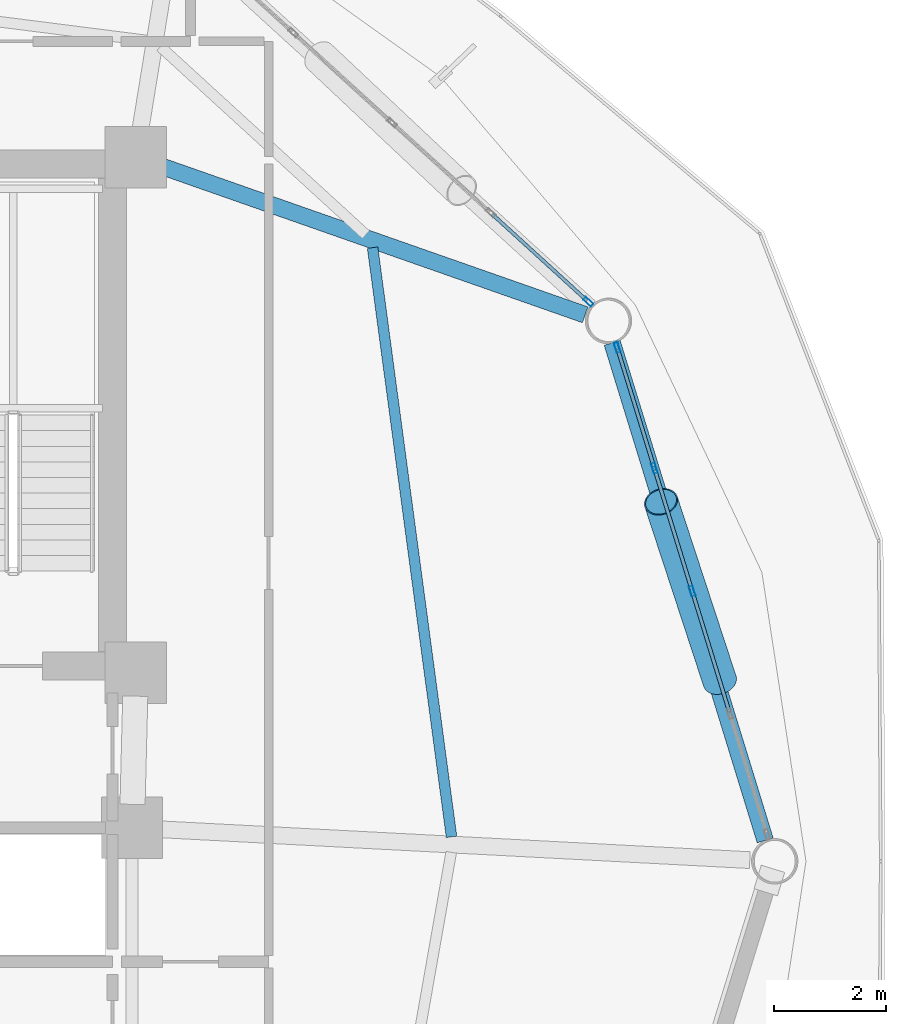
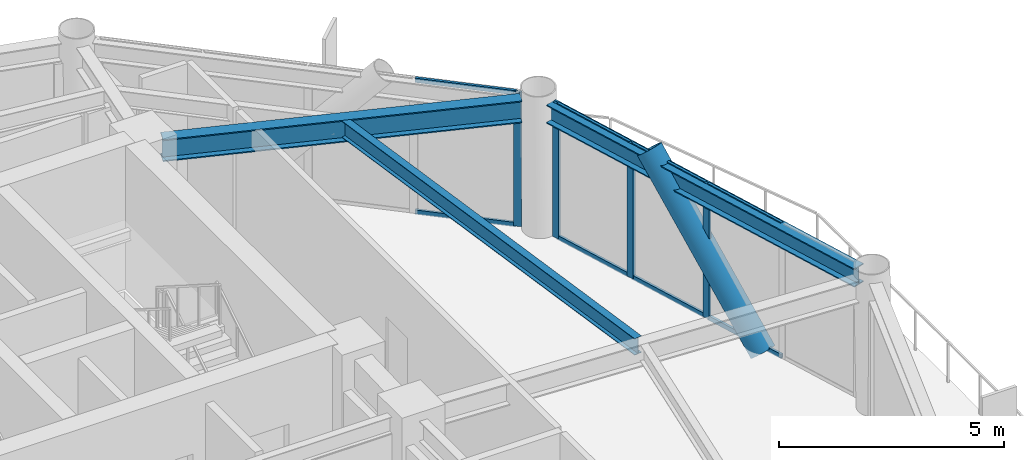
# One storey, part 13 of 23: 13 members, 3 beams, 2 elements without a shape of their own.
"""IFC4 building model written with IfcOpenShell, lengths in metres."""

from ifc_helpers import new_model, si_unit, direction, frame, origin, origin_2d, place, context, subcontext, project, spatial, hollow_rectangle, hollow_circle, i_section, extrude, material, layer, layer_set, material_profile, profile_set, type_object, element, aggregate, save


model = new_model("IFC4")

# Units and contexts
model_context = context("Model", 3, precision=1e-05, world=origin(), true_north=direction((0.0, 1.0)))
body_context = subcontext(model_context, "Body", "Model", "MODEL_VIEW")
ifc_project = project(units=[si_unit("LENGTHUNIT", "METRE"), si_unit("AREAUNIT", "SQUARE_METRE"), si_unit("VOLUMEUNIT", "CUBIC_METRE"), si_unit("PLANEANGLEUNIT", "RADIAN"), si_unit("MASSUNIT", "GRAM", prefix="KILO")], contexts=[model_context])

# Site, building, storey
site_placement = place(None, origin())
site = spatial("IfcSite", under=ifc_project, at=site_placement, CompositionType="ELEMENT")
building_placement = place(site_placement, origin())
building = spatial("IfcBuilding", under=site, at=building_placement, Name="Varnakorn Sky Granary", CompositionType="ELEMENT")
storey_placement = place(building_placement, frame((0.0, 0.0, 114.89990234375)))
storey = spatial("IfcBuildingStorey", under=building, at=storey_placement, Name="L28", CompositionType="ELEMENT", Elevation=114.89990234375)

# Beams
ifc_material_1 = material(Name="Steel S355JR", Category="steel")
ifc_material_profile_1 = material_profile(ifc_material_1, i_section(OverallWidth=0.300048828125, OverallDepth=0.60009765625, WebThickness=0.015380859375, FlangeThickness=0.030029296875, at=origin_2d()), Name="HE 600 B")
ifc_profile_set_1 = profile_set([ifc_material_profile_1], Name="Steel S355JR")
beam_type_1 = type_object("IfcBeamType", Name="BM-RAD-Z2", PredefinedType="BEAM", material=ifc_profile_set_1)
beam_1_placement = place(storey_placement, frame((8.81640625, 12.481201171875, 3.340087890625), z_axis=(0.94368750637, -0.330838163337, 0.0), x_axis=(0.330838163337, 0.94368750637, 0.0)))
element("IfcBeam", 1, at=beam_1_placement, inside=storey, type_object=beam_type_1, Name="Radial Floor Girder RG02 L28", PredefinedType="BEAM", context=body_context, shape_type="SweptSolid", body=[
    extrude(i_section(OverallWidth=0.300048828125, OverallDepth=0.60009765625, WebThickness=0.015380859375, FlangeThickness=0.030029296875, at=origin_2d()), origin(), (0.0, 0.0, 1.0), 8.115234375),
])
ifc_material_profile_2 = material_profile(ifc_material_1, i_section(OverallWidth=0.18994140625, OverallDepth=0.449951171875, WebThickness=0.009521484375, FlangeThickness=0.0146484375, at=origin_2d()), Name="IPE 450")
ifc_profile_set_2 = profile_set([ifc_material_profile_2], Name="Steel S355JR")
beam_type_2 = type_object("IfcBeamType", Name="BM-SEC-Z2", PredefinedType="BEAM", material=ifc_profile_set_2)
beam_2_placement = place(storey_placement, frame((14.0791015625, 0.43798828125, 3.4150390625), z_axis=(-0.132787973956, 0.991144466752, 0.0), x_axis=(-0.991144466752, -0.132787973956, 0.0)))
element("IfcBeam", 2, at=beam_2_placement, inside=storey, type_object=beam_type_2, Name="Secondary Floor Chord Beam MSB01 L28", PredefinedType="BEAM", context=body_context, shape_type="SweptSolid", body=[
    extrude(i_section(OverallWidth=0.18994140625, OverallDepth=0.449951171875, WebThickness=0.009521484375, FlangeThickness=0.0146484375, at=origin_2d()), origin(), (0.0, 0.0, 1.0), 10.656494140625),
])
ifc_material_profile_3 = material_profile(ifc_material_1, i_section(OverallWidth=0.300048828125, OverallDepth=0.5, WebThickness=0.014404296875, FlangeThickness=0.028076171875, at=origin_2d()), Name="HE 500 B")
ifc_profile_set_3 = profile_set([ifc_material_profile_3], Name="Steel S355JR")
beam_type_3 = type_object("IfcBeamType", Name="BM-SPD-Z2", PredefinedType="SPANDREL", material=ifc_profile_set_3)
beam_3_placement = place(storey_placement, frame((19.701904296875, 0.374267578125, 3.39013671875), z_axis=(-0.293942430688, 0.955823125605, 0.0), x_axis=(-0.955823125605, -0.293942430688, 0.0)))
element("IfcBeam", 3, at=beam_3_placement, inside=storey, type_object=beam_type_3, Name="Perimeter Spandrel Ring Beam RB01 L28", PredefinedType="SPANDREL", context=body_context, shape_type="SweptSolid", body=[
    extrude(i_section(OverallWidth=0.300048828125, OverallDepth=0.5, WebThickness=0.014404296875, FlangeThickness=0.028076171875, at=origin_2d()), origin(), (0.0, 0.0, 1.0), 9.33056640625),
])

# Curtain wall, members
ifc_material_2 = material(Name="Anodised Bronze Aluminium Alloy 6063-T6", Category="aluminium")
ifc_layer = layer(ifc_material_2, 0.179931640625, Name="Anodised Bronze Aluminium Alloy 6063-T6")
ifc_layer_set = layer_set([ifc_layer], Name="Anodised Bronze Aluminium Alloy 6063-T6")
curtain_wall_type = type_object("IfcCurtainWallType", Name="CW-FRM-2", PredefinedType="USERDEFINED", material=ifc_layer_set)
curtain_wall_1_placement = place(storey_placement, origin())
curtain_wall_1 = element("IfcCurtainWall", 4, at=curtain_wall_1_placement, inside=storey, type_object=curtain_wall_type, Name="Unitised Curtain Wall CW4 CW-L28-B01", ObjectType="CURTAIN WALL", PredefinedType="USERDEFINED")
ifc_material_profile_4 = material_profile(ifc_material_2, hollow_rectangle(XDim=0.070068359375, YDim=0.18505859375, WallThickness=0.00390625, at=origin_2d()), Name="ALU MULL 70x185")
ifc_profile_set_4 = profile_set([ifc_material_profile_4], Name="Anodised Bronze Aluminium Alloy 6063-T6")
member_type_1 = type_object("IfcMemberType", Name="CW-FRM-2-MULL", PredefinedType="MULLION", material=ifc_profile_set_4)
member_1_placement = place(storey_placement, frame((17.048828125, 9.211669921875, 0.0), z_axis=(0.0, 0.0, 1.0), x_axis=(0.955783470906, 0.294071346349, 0.0)))
member_1 = element("IfcMember", 5, at=member_1_placement, type_object=member_type_1, Name="CW4 mullion 1", PredefinedType="MULLION", context=body_context, shape_type="SweptSolid", body=[
    extrude(hollow_rectangle(XDim=0.070068359375, YDim=0.18505859375, WallThickness=0.00390625, at=origin_2d()), origin(), (0.0, 0.0, 1.0), 3.64013671875),
])
member_2_placement = place(storey_placement, frame((17.71533203125, 7.04541015625, 0.0), z_axis=(0.0, 0.0, 1.0), x_axis=(0.955783470906, 0.294071346349, 0.0)))
member_2 = element("IfcMember", 6, at=member_2_placement, type_object=member_type_1, Name="CW4 mullion 2", PredefinedType="MULLION", context=body_context, shape_type="SweptSolid", body=[
    extrude(hollow_rectangle(XDim=0.070068359375, YDim=0.18505859375, WallThickness=0.00390625, at=origin_2d()), origin(), (0.0, 0.0, 1.0), 3.64013671875),
])
member_3_placement = place(storey_placement, frame((18.39208984375, 4.845458984375, 0.0), z_axis=(0.0, 0.0, 1.0), x_axis=(0.955783470906, 0.294071346349, 0.0)))
member_3 = element("IfcMember", 7, at=member_3_placement, type_object=member_type_1, Name="CW4 mullion 3", PredefinedType="MULLION", context=body_context, shape_type="SweptSolid", body=[
    extrude(hollow_rectangle(XDim=0.070068359375, YDim=0.18505859375, WallThickness=0.00390625, at=origin_2d()), origin(), (0.0, 0.0, 1.0), 3.64013671875),
])

# Curtain wall, member
curtain_wall_2_placement = place(storey_placement, origin())
curtain_wall_2 = element("IfcCurtainWall", 8, at=curtain_wall_2_placement, inside=storey, type_object=curtain_wall_type, Name="Unitised Curtain Wall CW4 CW-L28-B02", ObjectType="CURTAIN WALL", PredefinedType="USERDEFINED")
member_4_placement = place(storey_placement, frame((16.53076171875, 10.029052734375, 0.0), z_axis=(0.0, 0.0, 1.0), x_axis=(0.673924759752, 0.738799985242, 0.0)))
member_4 = element("IfcMember", 9, at=member_4_placement, type_object=member_type_1, Name="CW4 mullion 5", PredefinedType="MULLION", context=body_context, shape_type="SweptSolid", body=[
    extrude(hollow_rectangle(XDim=0.070068359375, YDim=0.18505859375, WallThickness=0.00390625, at=origin_2d()), origin(), (0.0, 0.0, 1.0), 3.64013671875),
])

# Member
ifc_material_profile_5 = material_profile(ifc_material_2, hollow_rectangle(XDim=0.06494140625, YDim=0.1201171875, WallThickness=0.00341796875, at=origin_2d()), Name="ALU TRAN 65x120")
ifc_profile_set_5 = profile_set([ifc_material_profile_5], Name="Anodised Bronze Aluminium Alloy 6063-T6")
member_type_2 = type_object("IfcMemberType", Name="CW-FRM-2-TRAN", PredefinedType="USERDEFINED", material=ifc_profile_set_5)
member_5_placement = place(storey_placement, frame((17.05908203125, 9.17822265625, 0.03271484375), z_axis=(0.294101469803, -0.955774202131, 0.0), x_axis=(0.955774202131, 0.294101469803, 0.0)))
member_5 = element("IfcMember", 10, at=member_5_placement, type_object=member_type_2, Name="CW4 transom 1.1", ObjectType="TRANSOM", PredefinedType="USERDEFINED", context=body_context, shape_type="SweptSolid", body=[
    extrude(hollow_rectangle(XDim=0.06494140625, YDim=0.1201171875, WallThickness=0.00341796875, at=origin_2d()), origin(), (0.0, 0.0, 1.0), 2.196533203125),
])

member_6_placement = place(storey_placement, frame((17.05908203125, 9.17822265625, 3.607666015625), z_axis=(0.294101469803, -0.955774202131, 0.0), x_axis=(0.955774202131, 0.294101469803, 0.0)))
member_6 = element("IfcMember", 11, at=member_6_placement, type_object=member_type_2, Name="CW4 transom 1.2", ObjectType="TRANSOM", PredefinedType="USERDEFINED", context=body_context, shape_type="SweptSolid", body=[
    extrude(hollow_rectangle(XDim=0.06494140625, YDim=0.1201171875, WallThickness=0.00341796875, at=origin_2d()), origin(), (0.0, 0.0, 1.0), 2.196533203125),
])

member_7_placement = place(storey_placement, frame((17.7255859375, 7.011962890625, 0.03271484375), z_axis=(0.29405509968, -0.95578846946, 0.0), x_axis=(0.95578846946, 0.29405509968, 0.0)))
member_7 = element("IfcMember", 12, at=member_7_placement, type_object=member_type_2, Name="CW4 transom 2.1", ObjectType="TRANSOM", PredefinedType="USERDEFINED", context=body_context, shape_type="SweptSolid", body=[
    extrude(hollow_rectangle(XDim=0.06494140625, YDim=0.1201171875, WallThickness=0.00341796875, at=origin_2d()), origin(), (0.0, 0.0, 1.0), 2.231689453125),
])

member_8_placement = place(storey_placement, frame((17.7255859375, 7.011962890625, 3.607666015625), z_axis=(0.29405509968, -0.95578846946, 0.0), x_axis=(0.95578846946, 0.29405509968, 0.0)))
member_8 = element("IfcMember", 13, at=member_8_placement, type_object=member_type_2, Name="CW4 transom 2.2", ObjectType="TRANSOM", PredefinedType="USERDEFINED", context=body_context, shape_type="SweptSolid", body=[
    extrude(hollow_rectangle(XDim=0.06494140625, YDim=0.1201171875, WallThickness=0.00341796875, at=origin_2d()), origin(), (0.0, 0.0, 1.0), 2.231689453125),
])

member_9_placement = place(storey_placement, frame((18.40234375, 4.81201171875, 0.03271484375), z_axis=(0.294085848838, -0.955779008722, 0.0), x_axis=(0.955779008722, 0.294085848838, 0.0)))
member_9 = element("IfcMember", 14, at=member_9_placement, type_object=member_type_2, Name="CW4 transom 3.1", ObjectType="TRANSOM", PredefinedType="USERDEFINED", context=body_context, shape_type="SweptSolid", body=[
    extrude(hollow_rectangle(XDim=0.06494140625, YDim=0.1201171875, WallThickness=0.00341796875, at=origin_2d()), origin(), (0.0, 0.0, 1.0), 2.2314453125),
])

member_10_placement = place(storey_placement, frame((18.40234375, 4.81201171875, 3.607666015625), z_axis=(0.294085848838, -0.955779008722, 0.0), x_axis=(0.955779008722, 0.294085848838, 0.0)))
member_10 = element("IfcMember", 15, at=member_10_placement, type_object=member_type_2, Name="CW4 transom 3.2", ObjectType="TRANSOM", PredefinedType="USERDEFINED", context=body_context, shape_type="SweptSolid", body=[
    extrude(hollow_rectangle(XDim=0.06494140625, YDim=0.1201171875, WallThickness=0.00341796875, at=origin_2d()), origin(), (0.0, 0.0, 1.0), 2.2314453125),
])

aggregate(curtain_wall_1, [member_1, member_2, member_3, member_5, member_6, member_7, member_8, member_9, member_10])

member_11_placement = place(storey_placement, frame((14.810546875, 11.59814453125, 0.03271484375), z_axis=(0.738778112969, -0.673948736773, 0.0), x_axis=(0.673948736773, 0.738778112969, 0.0)))
member_11 = element("IfcMember", 16, at=member_11_placement, type_object=member_type_2, Name="CW4 transom 4.1", ObjectType="TRANSOM", PredefinedType="USERDEFINED", context=body_context, shape_type="SweptSolid", body=[
    extrude(hollow_rectangle(XDim=0.06494140625, YDim=0.1201171875, WallThickness=0.00341796875, at=origin_2d()), origin(), (0.0, 0.0, 1.0), 2.29345703125),
])

member_12_placement = place(storey_placement, frame((14.810546875, 11.59814453125, 3.607666015625), z_axis=(0.738778112969, -0.673948736773, 0.0), x_axis=(0.673948736773, 0.738778112969, 0.0)))
member_12 = element("IfcMember", 17, at=member_12_placement, type_object=member_type_2, Name="CW4 transom 4.2", ObjectType="TRANSOM", PredefinedType="USERDEFINED", context=body_context, shape_type="SweptSolid", body=[
    extrude(hollow_rectangle(XDim=0.06494140625, YDim=0.1201171875, WallThickness=0.00341796875, at=origin_2d()), origin(), (0.0, 0.0, 1.0), 2.29345703125),
])

aggregate(curtain_wall_2, [member_4, member_11, member_12])

ifc_material_3 = material(Name="Steel S460M", Category="steel")
ifc_material_profile_6 = material_profile(ifc_material_3, hollow_circle(Radius=0.304931640625, WallThickness=0.022216796875, at=origin_2d()), Name="CHS 610x22")
ifc_profile_set_6 = profile_set([ifc_material_profile_6], Name="Steel S460M")
member_type_3 = type_object("IfcMemberType", Name="MB-DIAG-T1", PredefinedType="BRACE", material=ifc_profile_set_6)
member_13_placement = place(storey_placement, frame((18.88916015625, 3.230224609375, -0.1298828125), z_axis=(-0.203556186087, 0.620806288168, 0.757076239012), x_axis=(-0.950223586259, -0.311568830463, 0.0)))
element("IfcMember", 18, at=member_13_placement, inside=storey, type_object=member_type_3, Name="Perimeter CHS Diagrid Brace DG01 L28", PredefinedType="BRACE", context=body_context, shape_type="SweptSolid", body=[
    extrude(hollow_circle(Radius=0.304931640625, WallThickness=0.022216796875, at=origin_2d()), origin(), (0.0, 0.0, 1.0), 5.177734375),
])

save(model, "model.ifc")
